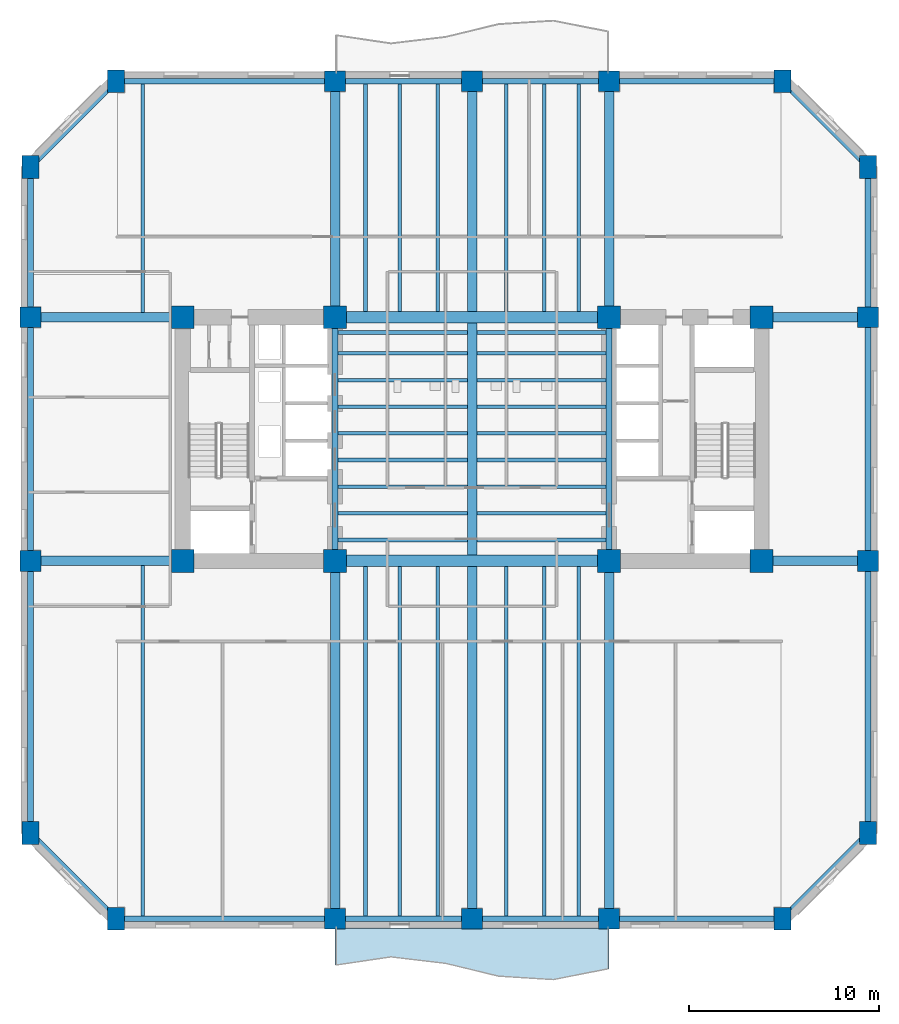
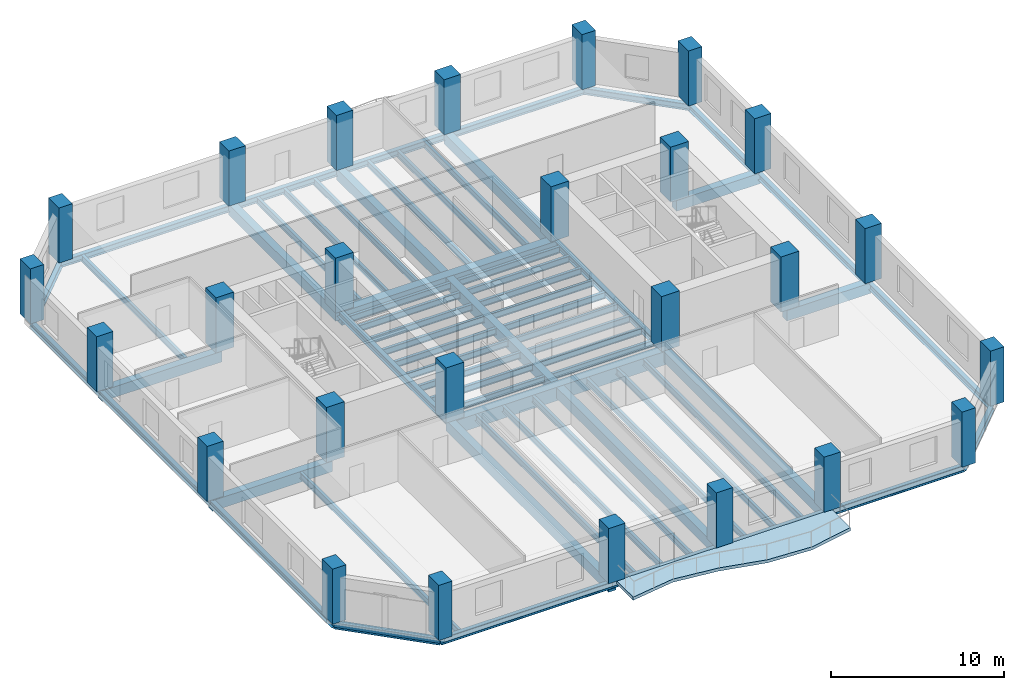
# One storey, part 1 of 10: 65 beams, 26 columns, 1 slab.
"""IFC4 building model written with IfcOpenShell, lengths in metres."""

from ifc_helpers import new_model, si_unit, direction, frame, origin, origin_2d, place, context, subcontext, project, spatial, polyline, rectangle, i_section, outline, extrude, material, layer, layer_set, material_profile, profile_set, type_object, element, save


model = new_model("IFC4")

# Units and contexts
model_context = context("Model", 3, precision=1e-05, world=origin(), true_north=direction((0.0, 1.0)))
body_context = subcontext(model_context, "Body", "Model", "MODEL_VIEW")
ifc_project = project(units=[si_unit("LENGTHUNIT", "METRE"), si_unit("AREAUNIT", "SQUARE_METRE"), si_unit("VOLUMEUNIT", "CUBIC_METRE"), si_unit("PLANEANGLEUNIT", "RADIAN"), si_unit("MASSUNIT", "GRAM", prefix="KILO")], contexts=[model_context])

# Site, building, storey
site_placement = place(None, origin())
site = spatial("IfcSite", under=ifc_project, at=site_placement, CompositionType="ELEMENT")
building_placement = place(site_placement, origin())
building = spatial("IfcBuilding", under=site, at=building_placement, Name="Kranthara Brick Stack", CompositionType="ELEMENT")
storey_placement = place(building_placement, frame((0.0, 0.0, 39.89990234375)))
storey = spatial("IfcBuildingStorey", under=building, at=storey_placement, Name="L09", CompositionType="ELEMENT", Elevation=39.89990234375)

# Columns
ifc_material_1 = material(Name="Concrete C70/85", Category="concrete")
ifc_material_profile_1 = material_profile(ifc_material_1, rectangle(XDim=0.89990234375, YDim=1.199951171875, at=origin_2d()), Name="RC 900x1200")
ifc_profile_set_1 = profile_set([ifc_material_profile_1], Name="Concrete C70/85")
column_type_1 = type_object("IfcColumnType", Name="COL-CHAM-900x1200", PredefinedType="COLUMN", material=ifc_profile_set_1)
for number, where, z_axis, x_axis, name in (
    (1, (9.300048828125, 2.0, 0.0), (0.0, 0.0, 1.0), (1.0, 0.0, 0.0), "L09 Column 09"),
    (2, (9.300048828125, 46.0, 0.0), (0.0, 0.0, 1.0), (1.0, 0.0, 0.0), "L09 Column 10"),
    (3, (44.300048828125, 2.0, 0.0), (0.0, 0.0, 1.0), (1.0, 0.0, 0.0), "L09 Column 17"),
    (4, (44.300048828125, 46.0, 0.0), (0.0, 0.0, 1.0), (1.0, 0.0, 0.0), "L09 Column 18"),
    (5, (4.800048828125, 6.5, 0.0), (0.0, 0.0, 1.0), (1.0, 0.0, 0.0), "L09 Column 19"),
    (6, (48.800048828125, 6.5, 0.0), (0.0, 0.0, 1.0), (1.0, 0.0, 0.0), "L09 Column 20"),
    (7, (4.800048828125, 41.5, 0.0), (0.0, 0.0, 1.0), (1.0, 0.0, 0.0), "L09 Column 25"),
    (8, (48.800048828125, 41.5, 0.0), (0.0, 0.0, 1.0), (1.0, 0.0, 0.0), "L09 Column 26"),
):
    element("IfcColumn", number, at=place(storey_placement, frame(where, z_axis=z_axis, x_axis=x_axis)), inside=storey, type_object=column_type_1, Name=name, PredefinedType="COLUMN", context=body_context, shape_type="SweptSolid", body=[
        extrude(rectangle(XDim=0.89990234375, YDim=1.199951171875, at=origin_2d()), origin(), (0.0, 0.0, 1.0), 3.900146484375),
    ])
ifc_material_2 = material(Name="Concrete C70/85", Category="concrete")
ifc_material_profile_2 = material_profile(ifc_material_2, rectangle(XDim=1.199951171875, YDim=1.199951171875, at=origin_2d()), Name="RC 1200x1200")
ifc_profile_set_2 = profile_set([ifc_material_profile_2], Name="Concrete C70/85")
column_type_2 = type_object("IfcColumnType", Name="COL-CORE-1200", PredefinedType="COLUMN", material=ifc_profile_set_2)
for number, where, z_axis, x_axis, name in (
    (9, (12.800048828125, 20.800048828125, 0.0), (0.0, 0.0, 1.0), (1.0, 0.0, 0.0), "L09 Column 01"),
    (10, (20.800048828125, 20.800048828125, 0.0), (0.0, 0.0, 1.0), (1.0, 0.0, 0.0), "L09 Column 02"),
    (11, (12.800048828125, 33.60009765625, 0.0), (0.0, 0.0, 1.0), (1.0, 0.0, 0.0), "L09 Column 03"),
    (12, (20.800048828125, 33.60009765625, 0.0), (0.0, 0.0, 1.0), (1.0, 0.0, 0.0), "L09 Column 04"),
    (13, (35.199951171875, 20.800048828125, 0.0), (0.0, 0.0, 1.0), (1.0, 0.0, 0.0), "L09 Column 05"),
    (14, (43.199951171875, 20.800048828125, 0.0), (0.0, 0.0, 1.0), (1.0, 0.0, 0.0), "L09 Column 06"),
    (15, (35.199951171875, 33.60009765625, 0.0), (0.0, 0.0, 1.0), (1.0, 0.0, 0.0), "L09 Column 07"),
    (16, (43.199951171875, 33.60009765625, 0.0), (0.0, 0.0, 1.0), (1.0, 0.0, 0.0), "L09 Column 08"),
):
    element("IfcColumn", number, at=place(storey_placement, frame(where, z_axis=z_axis, x_axis=x_axis)), inside=storey, type_object=column_type_2, Name=name, PredefinedType="COLUMN", context=body_context, shape_type="SweptSolid", body=[
        extrude(rectangle(XDim=1.199951171875, YDim=1.199951171875, at=origin_2d()), origin(), (0.0, 0.0, 1.0), 3.900146484375),
    ])
ifc_material_3 = material(Name="Concrete C70/85", Category="concrete")
ifc_material_profile_3 = material_profile(ifc_material_3, rectangle(XDim=1.10009765625, YDim=1.10009765625, at=origin_2d()), Name="RC 1100x1100")
ifc_profile_set_3 = profile_set([ifc_material_profile_3], Name="Concrete C70/85")
column_type_3 = type_object("IfcColumnType", Name="COL-PER-1100", PredefinedType="COLUMN", material=ifc_profile_set_3)
for number, where, z_axis, x_axis, name in (
    (17, (20.800048828125, 2.0, 0.0), (0.0, 0.0, 1.0), (1.0, 0.0, 0.0), "L09 Column 11"),
    (18, (20.800048828125, 46.0, 0.0), (0.0, 0.0, 1.0), (1.0, 0.0, 0.0), "L09 Column 12"),
    (19, (28.0, 2.0, 0.0), (0.0, 0.0, 1.0), (1.0, 0.0, 0.0), "L09 Column 13"),
    (20, (28.0, 46.0, 0.0), (0.0, 0.0, 1.0), (1.0, 0.0, 0.0), "L09 Column 14"),
    (21, (35.199951171875, 2.0, 0.0), (0.0, 0.0, 1.0), (1.0, 0.0, 0.0), "L09 Column 15"),
    (22, (35.199951171875, 46.0, 0.0), (0.0, 0.0, 1.0), (1.0, 0.0, 0.0), "L09 Column 16"),
    (23, (4.800048828125, 20.800048828125, 0.0), (0.0, 0.0, 1.0), (1.0, 0.0, 0.0), "L09 Column 21"),
    (24, (48.800048828125, 20.800048828125, 0.0), (0.0, 0.0, 1.0), (1.0, 0.0, 0.0), "L09 Column 22"),
    (25, (4.800048828125, 33.60009765625, 0.0), (0.0, 0.0, 1.0), (1.0, 0.0, 0.0), "L09 Column 23"),
    (26, (48.800048828125, 33.60009765625, 0.0), (0.0, 0.0, 1.0), (1.0, 0.0, 0.0), "L09 Column 24"),
):
    element("IfcColumn", number, at=place(storey_placement, frame(where, z_axis=z_axis, x_axis=x_axis)), inside=storey, type_object=column_type_3, Name=name, PredefinedType="COLUMN", context=body_context, shape_type="SweptSolid", body=[
        extrude(rectangle(XDim=1.10009765625, YDim=1.10009765625, at=origin_2d()), origin(), (0.0, 0.0, 1.0), 3.900146484375),
    ])

# Beams
ifc_material_4 = material(Name="Concrete C60/75", Category="concrete")
ifc_material_profile_4 = material_profile(ifc_material_4, rectangle(XDim=0.60009765625, YDim=0.949951171875, at=origin_2d()), Name="RC 600x950")
ifc_profile_set_4 = profile_set([ifc_material_profile_4], Name="Concrete C60/75")
beam_type_1 = type_object("IfcBeamType", Name="BM-CPL-RC950", PredefinedType="LINTEL", material=ifc_profile_set_4)
for number, where, z_axis, x_axis, name in (
    (27, (20.800048828125, 20.800048828125, -0.77490234375), (1.0, 0.0, 0.0), (0.0, 1.0, 0.0), "L09 Core Coupling Beam 001"),
    (28, (20.800048828125, 33.60009765625, -0.77490234375), (1.0, 0.0, 0.0), (0.0, 1.0, 0.0), "L09 Core Coupling Beam 002"),
):
    element("IfcBeam", number, at=place(storey_placement, frame(where, z_axis=z_axis, x_axis=x_axis)), inside=storey, type_object=beam_type_1, Name=name, PredefinedType="LINTEL", context=body_context, shape_type="SweptSolid", body=[
        extrude(rectangle(XDim=0.60009765625, YDim=0.949951171875, at=origin_2d()), origin(), (0.0, 0.0, 1.0), 14.39990234375),
    ])
ifc_material_5 = material(Name="Post-tensioned concrete C45/55", Category="concrete")
ifc_material_profile_5 = material_profile(ifc_material_5, rectangle(XDim=0.5, YDim=0.75, at=origin_2d()), Name="PT 500x750")
ifc_profile_set_5 = profile_set([ifc_material_profile_5], Name="Post-tensioned concrete C45/55")
beam_type_2 = type_object("IfcBeamType", Name="BM-FLR-PT750", PredefinedType="BEAM", material=ifc_profile_set_5)
beam_1_placement = place(storey_placement, frame((20.800048828125, 2.0, -0.6748046875), z_axis=(0.0, 1.0, 0.0), x_axis=(-1.0, 0.0, 0.0)))
element("IfcBeam", 29, at=beam_1_placement, inside=storey, type_object=beam_type_2, Name="L09 Primary Grid Girder 023", PredefinedType="BEAM", context=body_context, shape_type="SweptSolid", body=[
    extrude(rectangle(XDim=0.5, YDim=0.75, at=origin_2d()), origin(), (0.0, 0.0, 1.0), 18.800048828125),
])
beam_2_placement = place(storey_placement, frame((20.800048828125, 33.60009765625, -0.6748046875), z_axis=(0.0, 1.0, 0.0), x_axis=(-1.0, 0.0, 0.0)))
element("IfcBeam", 30, at=beam_2_placement, inside=storey, type_object=beam_type_2, Name="L09 Primary Grid Girder 024", PredefinedType="BEAM", context=body_context, shape_type="SweptSolid", body=[
    extrude(rectangle(XDim=0.5, YDim=0.75, at=origin_2d()), origin(), (0.0, 0.0, 1.0), 12.39990234375),
])
beam_3_placement = place(storey_placement, frame((28.0, 2.0, -0.6748046875), z_axis=(0.0, 1.0, 0.0), x_axis=(-1.0, 0.0, 0.0)))
element("IfcBeam", 31, at=beam_3_placement, inside=storey, type_object=beam_type_2, Name="L09 Primary Grid Girder 025", PredefinedType="BEAM", context=body_context, shape_type="SweptSolid", body=[
    extrude(rectangle(XDim=0.5, YDim=0.75, at=origin_2d()), origin(), (0.0, 0.0, 1.0), 18.5),
])
beam_4_placement = place(storey_placement, frame((28.0, 21.10009765625, -0.6748046875), z_axis=(0.0, 1.0, 0.0), x_axis=(-1.0, 0.0, 0.0)))
element("IfcBeam", 32, at=beam_4_placement, inside=storey, type_object=beam_type_2, Name="L09 Central Spine Girder 026", PredefinedType="BEAM", context=body_context, shape_type="SweptSolid", body=[
    extrude(rectangle(XDim=0.5, YDim=0.75, at=origin_2d()), origin(), (0.0, 0.0, 1.0), 12.199951171875),
])
beam_5_placement = place(storey_placement, frame((28.0, 33.89990234375, -0.6748046875), z_axis=(0.0, 1.0, 0.0), x_axis=(-1.0, 0.0, 0.0)))
element("IfcBeam", 33, at=beam_5_placement, inside=storey, type_object=beam_type_2, Name="L09 Primary Grid Girder 027", PredefinedType="BEAM", context=body_context, shape_type="SweptSolid", body=[
    extrude(rectangle(XDim=0.5, YDim=0.75, at=origin_2d()), origin(), (0.0, 0.0, 1.0), 12.10009765625),
])
beam_6_placement = place(storey_placement, frame((35.199951171875, 2.0, -0.6748046875), z_axis=(0.0, 1.0, 0.0), x_axis=(-1.0, 0.0, 0.0)))
element("IfcBeam", 34, at=beam_6_placement, inside=storey, type_object=beam_type_2, Name="L09 Primary Grid Girder 028", PredefinedType="BEAM", context=body_context, shape_type="SweptSolid", body=[
    extrude(rectangle(XDim=0.5, YDim=0.75, at=origin_2d()), origin(), (0.0, 0.0, 1.0), 18.800048828125),
])
beam_7_placement = place(storey_placement, frame((35.199951171875, 33.60009765625, -0.6748046875), z_axis=(0.0, 1.0, 0.0), x_axis=(-1.0, 0.0, 0.0)))
element("IfcBeam", 35, at=beam_7_placement, inside=storey, type_object=beam_type_2, Name="L09 Primary Grid Girder 029", PredefinedType="BEAM", context=body_context, shape_type="SweptSolid", body=[
    extrude(rectangle(XDim=0.5, YDim=0.75, at=origin_2d()), origin(), (0.0, 0.0, 1.0), 12.39990234375),
])
beam_8_placement = place(storey_placement, frame((4.800048828125, 20.800048828125, -0.6748046875), z_axis=(1.0, 0.0, 0.0), x_axis=(0.0, 1.0, 0.0)))
element("IfcBeam", 36, at=beam_8_placement, inside=storey, type_object=beam_type_2, Name="L09 Primary Grid Girder 030", PredefinedType="BEAM", context=body_context, shape_type="SweptSolid", body=[
    extrude(rectangle(XDim=0.5, YDim=0.75, at=origin_2d()), origin(), (0.0, 0.0, 1.0), 8.0),
])
beam_9_placement = place(storey_placement, frame((43.199951171875, 20.800048828125, -0.6748046875), z_axis=(1.0, 0.0, 0.0), x_axis=(0.0, 1.0, 0.0)))
element("IfcBeam", 37, at=beam_9_placement, inside=storey, type_object=beam_type_2, Name="L09 Primary Grid Girder 031", PredefinedType="BEAM", context=body_context, shape_type="SweptSolid", body=[
    extrude(rectangle(XDim=0.5, YDim=0.75, at=origin_2d()), origin(), (0.0, 0.0, 1.0), 5.60009765625),
])
beam_10_placement = place(storey_placement, frame((4.800048828125, 33.60009765625, -0.6748046875), z_axis=(1.0, 0.0, 0.0), x_axis=(0.0, 1.0, 0.0)))
element("IfcBeam", 38, at=beam_10_placement, inside=storey, type_object=beam_type_2, Name="L09 Primary Grid Girder 032", PredefinedType="BEAM", context=body_context, shape_type="SweptSolid", body=[
    extrude(rectangle(XDim=0.5, YDim=0.75, at=origin_2d()), origin(), (0.0, 0.0, 1.0), 8.0),
])
beam_11_placement = place(storey_placement, frame((43.199951171875, 33.60009765625, -0.6748046875), z_axis=(1.0, 0.0, 0.0), x_axis=(0.0, 1.0, 0.0)))
element("IfcBeam", 39, at=beam_11_placement, inside=storey, type_object=beam_type_2, Name="L09 Primary Grid Girder 033", PredefinedType="BEAM", context=body_context, shape_type="SweptSolid", body=[
    extrude(rectangle(XDim=0.5, YDim=0.75, at=origin_2d()), origin(), (0.0, 0.0, 1.0), 5.60009765625),
])
ifc_material_6 = material(Name="Steel S355", Category="steel")
ifc_material_profile_6 = material_profile(ifc_material_6, i_section(OverallWidth=0.18994140625, OverallDepth=0.449951171875, WebThickness=0.009521484375, FlangeThickness=0.0146484375, at=origin_2d()), Name="IPE 450")
ifc_profile_set_6 = profile_set([ifc_material_profile_6], Name="Steel S355")
beam_type_3 = type_object("IfcBeamType", Name="BM-JST-IPE450", PredefinedType="JOIST", material=ifc_profile_set_6)
for number, where, z_axis, x_axis, name in (
    (40, (20.949951171875, 21.89990234375, -0.52490234375), (1.0, 0.0, 0.0), (0.0, 1.0, 0.0), "L09 Central Floor Joist 034"),
    (41, (28.25, 21.89990234375, -0.52490234375), (1.0, 0.0, 0.0), (0.0, 1.0, 0.0), "L09 Central Floor Joist 035"),
    (42, (20.949951171875, 23.300048828125, -0.52490234375), (1.0, 0.0, 0.0), (0.0, 1.0, 0.0), "L09 Central Floor Joist 036"),
    (43, (28.25, 23.300048828125, -0.52490234375), (1.0, 0.0, 0.0), (0.0, 1.0, 0.0), "L09 Central Floor Joist 037"),
    (44, (20.949951171875, 24.699951171875, -0.52490234375), (1.0, 0.0, 0.0), (0.0, 1.0, 0.0), "L09 Central Floor Joist 038"),
    (45, (28.25, 24.699951171875, -0.52490234375), (1.0, 0.0, 0.0), (0.0, 1.0, 0.0), "L09 Central Floor Joist 039"),
    (46, (20.949951171875, 26.10009765625, -0.52490234375), (1.0, 0.0, 0.0), (0.0, 1.0, 0.0), "L09 Central Floor Joist 040"),
    (47, (28.25, 26.10009765625, -0.52490234375), (1.0, 0.0, 0.0), (0.0, 1.0, 0.0), "L09 Central Floor Joist 041"),
    (48, (20.949951171875, 27.5, -0.52490234375), (1.0, 0.0, 0.0), (0.0, 1.0, 0.0), "L09 Central Floor Joist 042"),
    (49, (28.25, 27.5, -0.52490234375), (1.0, 0.0, 0.0), (0.0, 1.0, 0.0), "L09 Central Floor Joist 043"),
    (50, (20.949951171875, 28.89990234375, -0.52490234375), (1.0, 0.0, 0.0), (0.0, 1.0, 0.0), "L09 Central Floor Joist 044"),
    (51, (28.25, 28.89990234375, -0.52490234375), (1.0, 0.0, 0.0), (0.0, 1.0, 0.0), "L09 Central Floor Joist 045"),
    (52, (20.949951171875, 30.300048828125, -0.52490234375), (1.0, 0.0, 0.0), (0.0, 1.0, 0.0), "L09 Central Floor Joist 046"),
    (53, (28.25, 30.300048828125, -0.52490234375), (1.0, 0.0, 0.0), (0.0, 1.0, 0.0), "L09 Central Floor Joist 047"),
    (54, (20.949951171875, 31.699951171875, -0.52490234375), (1.0, 0.0, 0.0), (0.0, 1.0, 0.0), "L09 Central Floor Joist 048"),
    (55, (28.25, 31.699951171875, -0.52490234375), (1.0, 0.0, 0.0), (0.0, 1.0, 0.0), "L09 Central Floor Joist 049"),
    (56, (20.949951171875, 32.800048828125, -0.52490234375), (1.0, 0.0, 0.0), (0.0, 1.0, 0.0), "L09 Central Floor Joist 050"),
    (57, (28.25, 32.800048828125, -0.52490234375), (1.0, 0.0, 0.0), (0.0, 1.0, 0.0), "L09 Central Floor Joist 051"),
):
    element("IfcBeam", number, at=place(storey_placement, frame(where, z_axis=z_axis, x_axis=x_axis)), inside=storey, type_object=beam_type_3, Name=name, PredefinedType="JOIST", context=body_context, shape_type="SweptSolid", body=[
        extrude(i_section(OverallWidth=0.18994140625, OverallDepth=0.449951171875, WebThickness=0.009521484375, FlangeThickness=0.0146484375, at=origin_2d()), origin(), (0.0, 0.0, 1.0), 6.800048828125),
    ])
beam_12_placement = place(storey_placement, frame((10.699951171875, 2.14990234375, -0.52490234375), z_axis=(0.0, 1.0, 0.0), x_axis=(-1.0, 0.0, 0.0)))
element("IfcBeam", 58, at=beam_12_placement, inside=storey, type_object=beam_type_3, Name="L09 South Wing Floor Joist 052", PredefinedType="JOIST", context=body_context, shape_type="SweptSolid", body=[
    extrude(i_section(OverallWidth=0.18994140625, OverallDepth=0.449951171875, WebThickness=0.009521484375, FlangeThickness=0.0146484375, at=origin_2d()), origin(), (0.0, 0.0, 1.0), 18.400146484375),
])
beam_13_placement = place(storey_placement, frame((10.699951171875, 33.85009765625, -0.52490234375), z_axis=(0.0, 1.0, 0.0), x_axis=(-1.0, 0.0, 0.0)))
element("IfcBeam", 59, at=beam_13_placement, inside=storey, type_object=beam_type_3, Name="L09 North Wing Floor Joist 053", PredefinedType="JOIST", context=body_context, shape_type="SweptSolid", body=[
    extrude(i_section(OverallWidth=0.18994140625, OverallDepth=0.449951171875, WebThickness=0.009521484375, FlangeThickness=0.0146484375, at=origin_2d()), origin(), (0.0, 0.0, 1.0), 12.0),
])
beam_14_placement = place(storey_placement, frame((22.39990234375, 2.14990234375, -0.52490234375), z_axis=(0.0, 1.0, 0.0), x_axis=(-1.0, 0.0, 0.0)))
element("IfcBeam", 60, at=beam_14_placement, inside=storey, type_object=beam_type_3, Name="L09 South Wing Floor Joist 054", PredefinedType="JOIST", context=body_context, shape_type="SweptSolid", body=[
    extrude(i_section(OverallWidth=0.18994140625, OverallDepth=0.449951171875, WebThickness=0.009521484375, FlangeThickness=0.0146484375, at=origin_2d()), origin(), (0.0, 0.0, 1.0), 18.35009765625),
])
beam_15_placement = place(storey_placement, frame((22.39990234375, 33.89990234375, -0.52490234375), z_axis=(0.0, 1.0, 0.0), x_axis=(-1.0, 0.0, 0.0)))
element("IfcBeam", 61, at=beam_15_placement, inside=storey, type_object=beam_type_3, Name="L09 North Wing Floor Joist 055", PredefinedType="JOIST", context=body_context, shape_type="SweptSolid", body=[
    extrude(i_section(OverallWidth=0.18994140625, OverallDepth=0.449951171875, WebThickness=0.009521484375, FlangeThickness=0.0146484375, at=origin_2d()), origin(), (0.0, 0.0, 1.0), 11.9501953125),
])
beam_16_placement = place(storey_placement, frame((24.199951171875, 2.14990234375, -0.52490234375), z_axis=(0.0, 1.0, 0.0), x_axis=(-1.0, 0.0, 0.0)))
element("IfcBeam", 62, at=beam_16_placement, inside=storey, type_object=beam_type_3, Name="L09 South Wing Floor Joist 056", PredefinedType="JOIST", context=body_context, shape_type="SweptSolid", body=[
    extrude(i_section(OverallWidth=0.18994140625, OverallDepth=0.449951171875, WebThickness=0.009521484375, FlangeThickness=0.0146484375, at=origin_2d()), origin(), (0.0, 0.0, 1.0), 18.35009765625),
])
beam_17_placement = place(storey_placement, frame((24.199951171875, 33.89990234375, -0.52490234375), z_axis=(0.0, 1.0, 0.0), x_axis=(-1.0, 0.0, 0.0)))
element("IfcBeam", 63, at=beam_17_placement, inside=storey, type_object=beam_type_3, Name="L09 North Wing Floor Joist 057", PredefinedType="JOIST", context=body_context, shape_type="SweptSolid", body=[
    extrude(i_section(OverallWidth=0.18994140625, OverallDepth=0.449951171875, WebThickness=0.009521484375, FlangeThickness=0.0146484375, at=origin_2d()), origin(), (0.0, 0.0, 1.0), 11.9501953125),
])
beam_18_placement = place(storey_placement, frame((26.199951171875, 2.14990234375, -0.52490234375), z_axis=(0.0, 1.0, 0.0), x_axis=(-1.0, 0.0, 0.0)))
element("IfcBeam", 64, at=beam_18_placement, inside=storey, type_object=beam_type_3, Name="L09 South Wing Floor Joist 058", PredefinedType="JOIST", context=body_context, shape_type="SweptSolid", body=[
    extrude(i_section(OverallWidth=0.18994140625, OverallDepth=0.449951171875, WebThickness=0.009521484375, FlangeThickness=0.0146484375, at=origin_2d()), origin(), (0.0, 0.0, 1.0), 18.35009765625),
])
beam_19_placement = place(storey_placement, frame((26.199951171875, 33.89990234375, -0.52490234375), z_axis=(0.0, 1.0, 0.0), x_axis=(-1.0, 0.0, 0.0)))
element("IfcBeam", 65, at=beam_19_placement, inside=storey, type_object=beam_type_3, Name="L09 North Wing Floor Joist 059", PredefinedType="JOIST", context=body_context, shape_type="SweptSolid", body=[
    extrude(i_section(OverallWidth=0.18994140625, OverallDepth=0.449951171875, WebThickness=0.009521484375, FlangeThickness=0.0146484375, at=origin_2d()), origin(), (0.0, 0.0, 1.0), 11.9501953125),
])
beam_20_placement = place(storey_placement, frame((29.800048828125, 2.14990234375, -0.52490234375), z_axis=(0.0, 1.0, 0.0), x_axis=(-1.0, 0.0, 0.0)))
element("IfcBeam", 66, at=beam_20_placement, inside=storey, type_object=beam_type_3, Name="L09 South Wing Floor Joist 060", PredefinedType="JOIST", context=body_context, shape_type="SweptSolid", body=[
    extrude(i_section(OverallWidth=0.18994140625, OverallDepth=0.449951171875, WebThickness=0.009521484375, FlangeThickness=0.0146484375, at=origin_2d()), origin(), (0.0, 0.0, 1.0), 18.35009765625),
])
beam_21_placement = place(storey_placement, frame((29.800048828125, 33.89990234375, -0.52490234375), z_axis=(0.0, 1.0, 0.0), x_axis=(-1.0, 0.0, 0.0)))
element("IfcBeam", 67, at=beam_21_placement, inside=storey, type_object=beam_type_3, Name="L09 North Wing Floor Joist 061", PredefinedType="JOIST", context=body_context, shape_type="SweptSolid", body=[
    extrude(i_section(OverallWidth=0.18994140625, OverallDepth=0.449951171875, WebThickness=0.009521484375, FlangeThickness=0.0146484375, at=origin_2d()), origin(), (0.0, 0.0, 1.0), 11.9501953125),
])
beam_22_placement = place(storey_placement, frame((31.800048828125, 2.14990234375, -0.52490234375), z_axis=(0.0, 1.0, 0.0), x_axis=(-1.0, 0.0, 0.0)))
element("IfcBeam", 68, at=beam_22_placement, inside=storey, type_object=beam_type_3, Name="L09 South Wing Floor Joist 062", PredefinedType="JOIST", context=body_context, shape_type="SweptSolid", body=[
    extrude(i_section(OverallWidth=0.18994140625, OverallDepth=0.449951171875, WebThickness=0.009521484375, FlangeThickness=0.0146484375, at=origin_2d()), origin(), (0.0, 0.0, 1.0), 18.35009765625),
])
beam_23_placement = place(storey_placement, frame((31.800048828125, 33.89990234375, -0.52490234375), z_axis=(0.0, 1.0, 0.0), x_axis=(-1.0, 0.0, 0.0)))
element("IfcBeam", 69, at=beam_23_placement, inside=storey, type_object=beam_type_3, Name="L09 North Wing Floor Joist 063", PredefinedType="JOIST", context=body_context, shape_type="SweptSolid", body=[
    extrude(i_section(OverallWidth=0.18994140625, OverallDepth=0.449951171875, WebThickness=0.009521484375, FlangeThickness=0.0146484375, at=origin_2d()), origin(), (0.0, 0.0, 1.0), 11.9501953125),
])
beam_24_placement = place(storey_placement, frame((33.60009765625, 2.14990234375, -0.52490234375), z_axis=(0.0, 1.0, 0.0), x_axis=(-1.0, 0.0, 0.0)))
element("IfcBeam", 70, at=beam_24_placement, inside=storey, type_object=beam_type_3, Name="L09 South Wing Floor Joist 064", PredefinedType="JOIST", context=body_context, shape_type="SweptSolid", body=[
    extrude(i_section(OverallWidth=0.18994140625, OverallDepth=0.449951171875, WebThickness=0.009521484375, FlangeThickness=0.0146484375, at=origin_2d()), origin(), (0.0, 0.0, 1.0), 18.35009765625),
])
beam_25_placement = place(storey_placement, frame((33.60009765625, 33.89990234375, -0.52490234375), z_axis=(0.0, 1.0, 0.0), x_axis=(-1.0, 0.0, 0.0)))
element("IfcBeam", 71, at=beam_25_placement, inside=storey, type_object=beam_type_3, Name="L09 North Wing Floor Joist 065", PredefinedType="JOIST", context=body_context, shape_type="SweptSolid", body=[
    extrude(i_section(OverallWidth=0.18994140625, OverallDepth=0.449951171875, WebThickness=0.009521484375, FlangeThickness=0.0146484375, at=origin_2d()), origin(), (0.0, 0.0, 1.0), 11.9501953125),
])
ifc_material_7 = material(Name="Steel S355", Category="steel")
ifc_material_profile_7 = material_profile(ifc_material_7, i_section(OverallWidth=0.300048828125, OverallDepth=0.449951171875, WebThickness=0.013916015625, FlangeThickness=0.02587890625, at=origin_2d()), Name="HEB 450")
ifc_profile_set_7 = profile_set([ifc_material_profile_7], Name="Steel S355")
beam_type_4 = type_object("IfcBeamType", Name="BM-STL-HEB450", PredefinedType="SPANDREL", material=ifc_profile_set_7)
for number, where, z_axis, x_axis, name in (
    (72, (20.800048828125, 20.800048828125, -0.52490234375), (0.0, 1.0, 0.0), (-1.0, 0.0, 0.0), "L09 Core Edge Tie Beam 003"),
    (73, (35.199951171875, 20.800048828125, -0.52490234375), (0.0, 1.0, 0.0), (-1.0, 0.0, 0.0), "L09 Core Edge Tie Beam 004"),
):
    element("IfcBeam", number, at=place(storey_placement, frame(where, z_axis=z_axis, x_axis=x_axis)), inside=storey, type_object=beam_type_4, Name=name, PredefinedType="SPANDREL", context=body_context, shape_type="SweptSolid", body=[
        extrude(i_section(OverallWidth=0.300048828125, OverallDepth=0.449951171875, WebThickness=0.013916015625, FlangeThickness=0.02587890625, at=origin_2d()), origin(), (0.0, 0.0, 1.0), 12.800048828125),
    ])
beam_26_placement = place(storey_placement, frame((9.300048828125, 2.0, -0.52490234375), z_axis=(1.0, 0.0, 0.0), x_axis=(0.0, 1.0, 0.0)))
element("IfcBeam", 74, at=beam_26_placement, inside=storey, type_object=beam_type_4, Name="L09 Perimeter Spandrel Beam 005", PredefinedType="SPANDREL", context=body_context, shape_type="SweptSolid", body=[
    extrude(i_section(OverallWidth=0.300048828125, OverallDepth=0.449951171875, WebThickness=0.013916015625, FlangeThickness=0.02587890625, at=origin_2d()), origin(), (0.0, 0.0, 1.0), 11.5),
])
for number, where, z_axis, x_axis, name in (
    (75, (20.800048828125, 2.0, -0.52490234375), (1.0, 0.0, 0.0), (0.0, 1.0, 0.0), "L09 Perimeter Spandrel Beam 006"),
    (76, (28.0, 2.0, -0.52490234375), (1.0, 0.0, 0.0), (0.0, 1.0, 0.0), "L09 Perimeter Spandrel Beam 007"),
):
    element("IfcBeam", number, at=place(storey_placement, frame(where, z_axis=z_axis, x_axis=x_axis)), inside=storey, type_object=beam_type_4, Name=name, PredefinedType="SPANDREL", context=body_context, shape_type="SweptSolid", body=[
        extrude(i_section(OverallWidth=0.300048828125, OverallDepth=0.449951171875, WebThickness=0.013916015625, FlangeThickness=0.02587890625, at=origin_2d()), origin(), (0.0, 0.0, 1.0), 7.199951171875),
    ])
beam_27_placement = place(storey_placement, frame((35.199951171875, 2.0, -0.52490234375), z_axis=(1.0, 0.0, 0.0), x_axis=(0.0, 1.0, 0.0)))
element("IfcBeam", 77, at=beam_27_placement, inside=storey, type_object=beam_type_4, Name="L09 Perimeter Spandrel Beam 008", PredefinedType="SPANDREL", context=body_context, shape_type="SweptSolid", body=[
    extrude(i_section(OverallWidth=0.300048828125, OverallDepth=0.449951171875, WebThickness=0.013916015625, FlangeThickness=0.02587890625, at=origin_2d()), origin(), (0.0, 0.0, 1.0), 9.10009765625),
])
beam_28_placement = place(storey_placement, frame((9.300048828125, 46.0, -0.52490234375), z_axis=(1.0, 0.0, 0.0), x_axis=(0.0, 1.0, 0.0)))
element("IfcBeam", 78, at=beam_28_placement, inside=storey, type_object=beam_type_4, Name="L09 Perimeter Spandrel Beam 009", PredefinedType="SPANDREL", context=body_context, shape_type="SweptSolid", body=[
    extrude(i_section(OverallWidth=0.300048828125, OverallDepth=0.449951171875, WebThickness=0.013916015625, FlangeThickness=0.02587890625, at=origin_2d()), origin(), (0.0, 0.0, 1.0), 11.5),
])
for number, where, z_axis, x_axis, name in (
    (79, (20.800048828125, 46.0, -0.52490234375), (1.0, 0.0, 0.0), (0.0, 1.0, 0.0), "L09 Perimeter Spandrel Beam 010"),
    (80, (28.0, 46.0, -0.52490234375), (1.0, 0.0, 0.0), (0.0, 1.0, 0.0), "L09 Perimeter Spandrel Beam 011"),
):
    element("IfcBeam", number, at=place(storey_placement, frame(where, z_axis=z_axis, x_axis=x_axis)), inside=storey, type_object=beam_type_4, Name=name, PredefinedType="SPANDREL", context=body_context, shape_type="SweptSolid", body=[
        extrude(i_section(OverallWidth=0.300048828125, OverallDepth=0.449951171875, WebThickness=0.013916015625, FlangeThickness=0.02587890625, at=origin_2d()), origin(), (0.0, 0.0, 1.0), 7.199951171875),
    ])
beam_29_placement = place(storey_placement, frame((35.199951171875, 46.0, -0.52490234375), z_axis=(1.0, 0.0, 0.0), x_axis=(0.0, 1.0, 0.0)))
element("IfcBeam", 81, at=beam_29_placement, inside=storey, type_object=beam_type_4, Name="L09 Perimeter Spandrel Beam 012", PredefinedType="SPANDREL", context=body_context, shape_type="SweptSolid", body=[
    extrude(i_section(OverallWidth=0.300048828125, OverallDepth=0.449951171875, WebThickness=0.013916015625, FlangeThickness=0.02587890625, at=origin_2d()), origin(), (0.0, 0.0, 1.0), 9.10009765625),
])
beam_30_placement = place(storey_placement, frame((4.800048828125, 6.5, -0.52490234375), z_axis=(0.0, 1.0, 0.0), x_axis=(-1.0, 0.0, 0.0)))
element("IfcBeam", 82, at=beam_30_placement, inside=storey, type_object=beam_type_4, Name="L09 Perimeter Spandrel Beam 013", PredefinedType="SPANDREL", context=body_context, shape_type="SweptSolid", body=[
    extrude(i_section(OverallWidth=0.300048828125, OverallDepth=0.449951171875, WebThickness=0.013916015625, FlangeThickness=0.02587890625, at=origin_2d()), origin(), (0.0, 0.0, 1.0), 14.300048828125),
])
beam_31_placement = place(storey_placement, frame((4.800048828125, 20.800048828125, -0.52490234375), z_axis=(0.0, 1.0, 0.0), x_axis=(-1.0, 0.0, 0.0)))
element("IfcBeam", 83, at=beam_31_placement, inside=storey, type_object=beam_type_4, Name="L09 Perimeter Spandrel Beam 014", PredefinedType="SPANDREL", context=body_context, shape_type="SweptSolid", body=[
    extrude(i_section(OverallWidth=0.300048828125, OverallDepth=0.449951171875, WebThickness=0.013916015625, FlangeThickness=0.02587890625, at=origin_2d()), origin(), (0.0, 0.0, 1.0), 12.800048828125),
])
beam_32_placement = place(storey_placement, frame((4.800048828125, 33.60009765625, -0.52490234375), z_axis=(0.0, 1.0, 0.0), x_axis=(-1.0, 0.0, 0.0)))
element("IfcBeam", 84, at=beam_32_placement, inside=storey, type_object=beam_type_4, Name="L09 Perimeter Spandrel Beam 015", PredefinedType="SPANDREL", context=body_context, shape_type="SweptSolid", body=[
    extrude(i_section(OverallWidth=0.300048828125, OverallDepth=0.449951171875, WebThickness=0.013916015625, FlangeThickness=0.02587890625, at=origin_2d()), origin(), (0.0, 0.0, 1.0), 7.89990234375),
])
beam_33_placement = place(storey_placement, frame((48.800048828125, 6.5, -0.52490234375), z_axis=(0.0, 1.0, 0.0), x_axis=(-1.0, 0.0, 0.0)))
element("IfcBeam", 85, at=beam_33_placement, inside=storey, type_object=beam_type_4, Name="L09 Perimeter Spandrel Beam 016", PredefinedType="SPANDREL", context=body_context, shape_type="SweptSolid", body=[
    extrude(i_section(OverallWidth=0.300048828125, OverallDepth=0.449951171875, WebThickness=0.013916015625, FlangeThickness=0.02587890625, at=origin_2d()), origin(), (0.0, 0.0, 1.0), 14.300048828125),
])
beam_34_placement = place(storey_placement, frame((48.800048828125, 20.800048828125, -0.52490234375), z_axis=(0.0, 1.0, 0.0), x_axis=(-1.0, 0.0, 0.0)))
element("IfcBeam", 86, at=beam_34_placement, inside=storey, type_object=beam_type_4, Name="L09 Perimeter Spandrel Beam 017", PredefinedType="SPANDREL", context=body_context, shape_type="SweptSolid", body=[
    extrude(i_section(OverallWidth=0.300048828125, OverallDepth=0.449951171875, WebThickness=0.013916015625, FlangeThickness=0.02587890625, at=origin_2d()), origin(), (0.0, 0.0, 1.0), 12.800048828125),
])
beam_35_placement = place(storey_placement, frame((48.800048828125, 33.60009765625, -0.52490234375), z_axis=(0.0, 1.0, 0.0), x_axis=(-1.0, 0.0, 0.0)))
element("IfcBeam", 87, at=beam_35_placement, inside=storey, type_object=beam_type_4, Name="L09 Perimeter Spandrel Beam 018", PredefinedType="SPANDREL", context=body_context, shape_type="SweptSolid", body=[
    extrude(i_section(OverallWidth=0.300048828125, OverallDepth=0.449951171875, WebThickness=0.013916015625, FlangeThickness=0.02587890625, at=origin_2d()), origin(), (0.0, 0.0, 1.0), 7.89990234375),
])
for number, where, z_axis, x_axis, name in (
    (88, (9.300048828125, 2.0, -0.52490234375), (-0.707106781187, 0.707106781187, 0.0), (-0.707106781187, -0.707106781187, 0.0), "L09 Chamfer Corner Spandrel 019"),
    (89, (44.300048828125, 2.0, -0.52490234375), (0.707106781187, 0.707106781187, 0.0), (-0.707106781187, 0.707106781187, 0.0), "L09 Chamfer Corner Spandrel 020"),
    (90, (9.300048828125, 46.0, -0.52490234375), (-0.707106781187, -0.707106781187, 0.0), (0.707106781187, -0.707106781187, 0.0), "L09 Chamfer Corner Spandrel 021"),
    (91, (44.300048828125, 46.0, -0.52490234375), (0.707106781187, -0.707106781187, 0.0), (0.707106781187, 0.707106781187, 0.0), "L09 Chamfer Corner Spandrel 022"),
):
    element("IfcBeam", number, at=place(storey_placement, frame(where, z_axis=z_axis, x_axis=x_axis)), inside=storey, type_object=beam_type_4, Name=name, PredefinedType="SPANDREL", context=body_context, shape_type="SweptSolid", body=[
        extrude(i_section(OverallWidth=0.300048828125, OverallDepth=0.449951171875, WebThickness=0.013916015625, FlangeThickness=0.02587890625, at=origin_2d()), origin(), (0.0, 0.0, 1.0), 6.364013671875),
    ])

# Slab
ifc_material_8 = material(Name="Concrete C45/55", Category="concrete")
ifc_layer = layer(ifc_material_8, 0.219970703125)
ifc_layer_set = layer_set([ifc_layer], Name="Concrete C45/55")
slab_type = type_object("IfcSlabType", Name="SLB-BALC-220", PredefinedType="FLOOR", material=ifc_layer_set)
slab_placement = place(storey_placement, frame((0.0, 0.0, -0.219970703125)))
element("IfcSlab", 92, at=slab_placement, inside=storey, type_object=slab_type, Name="L09 South Rippling Balcony Slab", PredefinedType="FLOOR", context=body_context, shape_type="SweptSolid", body=[
    extrude(outline(polyline([(20.800048828125, 1.5), (35.199951171875, 1.5), (35.199951171875, -0.63525390625), (32.320068359375, -1.208984375), (29.43994140625, -1.04833984375), (26.56005859375, -0.355224609375), (23.679931640625, -0.00146484375), (20.800048828125, -0.431884765625), (20.800048828125, 1.5)])), origin(), (0.0, 0.0, 1.0), 0.219970703125),
])

save(model, "model.ifc")
